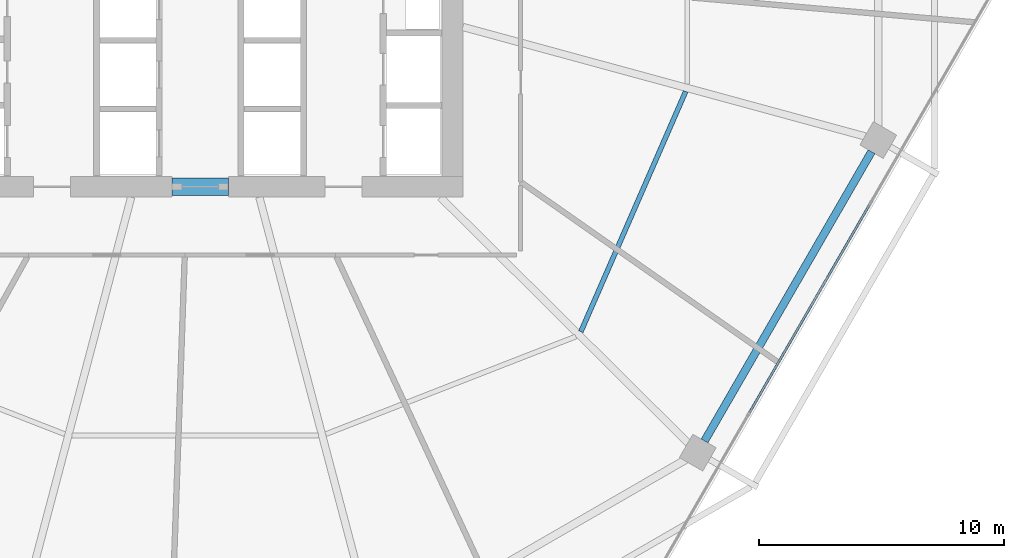
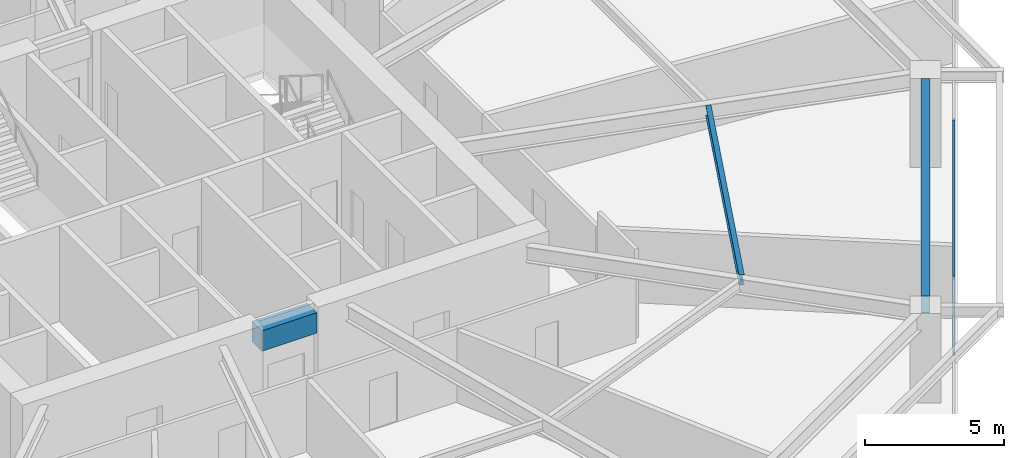
# One storey, part 10 of 28: 3 beams, 2 members, 1 element without a shape of its own.
"""IFC4 building model written with IfcOpenShell, lengths in metres."""

from ifc_helpers import new_model, si_unit, direction, frame, origin, origin_2d, place, context, subcontext, project, spatial, rectangle, hollow_rectangle, i_section, extrude, material, material_profile, profile_set, type_object, element, aggregate, save


model = new_model("IFC4")

# Units and contexts
model_context = context("Model", 3, precision=1e-05, world=origin(), true_north=direction((0.0, 1.0)))
body_context = subcontext(model_context, "Body", "Model", "MODEL_VIEW")
ifc_project = project(units=[si_unit("LENGTHUNIT", "METRE"), si_unit("AREAUNIT", "SQUARE_METRE"), si_unit("VOLUMEUNIT", "CUBIC_METRE"), si_unit("PLANEANGLEUNIT", "RADIAN"), si_unit("MASSUNIT", "GRAM", prefix="KILO")], contexts=[model_context])

# Site, building, storey
site_placement = place(None, origin())
site = spatial("IfcSite", under=ifc_project, at=site_placement, CompositionType="ELEMENT")
building_placement = place(site_placement, origin())
building = spatial("IfcBuilding", under=site, at=building_placement, Name="Zuhravey Tower", CompositionType="ELEMENT")
storey_placement = place(building_placement, frame((0.0, 0.0, 79.199951171875)))
storey = spatial("IfcBuildingStorey", under=building, at=storey_placement, Name="L19", CompositionType="ELEMENT", Elevation=79.199951171875)

# Beam
ifc_material_1 = material(Name="Concrete C60/75", Category="concrete")
ifc_material_profile_1 = material_profile(ifc_material_1, rectangle(XDim=0.699951171875, YDim=0.89990234375, at=origin_2d()), Name="RC-700x900")
ifc_profile_set_1 = profile_set([ifc_material_profile_1], Name="Concrete C60/75")
beam_type_1 = type_object("IfcBeamType", Name="Core Coupling Beam RC700x900", PredefinedType="LINTEL", material=ifc_profile_set_1)
beam_1_placement = place(storey_placement, frame((35.052001953125, 22.5, 3.469970703125), z_axis=(1.0, 0.0, 0.0), x_axis=(0.0, 1.0, 0.0)))
element("IfcBeam", 1, at=beam_1_placement, inside=storey, type_object=beam_type_1, Name="L19 CB1 BM-L19-CB-S", PredefinedType="LINTEL", context=body_context, shape_type="SweptSolid", body=[
    extrude(rectangle(XDim=0.699951171875, YDim=0.89990234375, at=origin_2d()), origin(), (0.0, 0.0, 1.0), 2.2958984375),
])

# Curtain wall, members
ifc_material_2 = material(Name="Thermally broken anodised aluminium", Category="aluminium")
curtain_wall_type = type_object("IfcCurtainWallType", Name="School Low-E Unitised Curtain Wall CW1", PredefinedType="NOTDEFINED", material=ifc_material_2)
curtain_wall_placement = place(storey_placement, origin())
curtain_wall = element("IfcCurtainWall", 2, at=curtain_wall_placement, inside=storey, type_object=curtain_wall_type, Name="L19 CW1 CW-L19-F6-1", PredefinedType="NOTDEFINED")
ifc_material_3 = material(Name="Anodised aluminium", Category="aluminium")
ifc_material_profile_2 = material_profile(ifc_material_3, hollow_rectangle(XDim=0.090087890625, YDim=0.14990234375, WallThickness=0.0048828125, at=origin_2d()), Name="ALU-RHS-90x150x5")
ifc_profile_set_2 = profile_set([ifc_material_profile_2], Name="Anodised aluminium")
member_type = type_object("IfcMemberType", Name="Curtain-Wall Transom 90x150", PredefinedType="USERDEFINED", material=ifc_profile_set_2)
member_1_placement = place(storey_placement, frame((63.52294921875, 21.754150390625, 0.045166015625), z_axis=(-0.499990498062, -0.866030889661, 0.0), x_axis=(0.866030889661, -0.499990498062, 0.0)))
member_1 = element("IfcMember", 3, at=member_1_placement, type_object=member_type, Name="CW1 transom 2.1", ObjectType="TRANSOM", PredefinedType="USERDEFINED", context=body_context, shape_type="SweptSolid", body=[
    extrude(hollow_rectangle(XDim=0.090087890625, YDim=0.14990234375, WallThickness=0.0048828125, at=origin_2d()), origin(), (0.0, 0.0, 1.0), 9.776611328125),
])
member_2_placement = place(storey_placement, frame((63.52294921875, 21.754150390625, 3.375), z_axis=(-0.499990498062, -0.866030889661, 0.0), x_axis=(0.866030889661, -0.499990498062, 0.0)))
member_2 = element("IfcMember", 4, at=member_2_placement, type_object=member_type, Name="CW1 transom 2.2", ObjectType="TRANSOM", PredefinedType="USERDEFINED", context=body_context, shape_type="SweptSolid", body=[
    extrude(hollow_rectangle(XDim=0.090087890625, YDim=0.14990234375, WallThickness=0.0048828125, at=origin_2d()), origin(), (0.0, 0.0, 1.0), 9.776611328125),
])
aggregate(curtain_wall, [member_1, member_2])

# Beams
ifc_material_4 = material(Name="Steel SM355", Category="steel")
ifc_material_profile_3 = material_profile(ifc_material_4, i_section(OverallWidth=0.320068359375, OverallDepth=0.75, WebThickness=0.013916015625, FlangeThickness=0.02490234375, at=origin_2d()), Name="H-750x320x14x25")
ifc_profile_set_3 = profile_set([ifc_material_profile_3], Name="Steel SM355")
beam_type_2 = type_object("IfcBeamType", Name="Perimeter Ring Beam H750x320", PredefinedType="BEAM", material=ifc_profile_set_3)
beam_2_placement = place(storey_placement, frame((56.79541015625, 12.1220703125, 3.545166015625), z_axis=(0.500008177929, 0.866020682204, 0.0), x_axis=(-0.866020682204, 0.500008177929, 0.0)))
element("IfcBeam", 5, at=beam_2_placement, inside=storey, type_object=beam_type_2, Name="L19 PB1 BM-L19-PB-11", PredefinedType="BEAM", context=body_context, shape_type="SweptSolid", body=[
    extrude(i_section(OverallWidth=0.320068359375, OverallDepth=0.75, WebThickness=0.013916015625, FlangeThickness=0.02490234375, at=origin_2d()), origin(), (0.0, 0.0, 1.0), 13.634033203125),
])
ifc_material_profile_4 = material_profile(ifc_material_4, i_section(OverallWidth=0.199951171875, OverallDepth=0.449951171875, WebThickness=0.009033203125, FlangeThickness=0.013916015625, at=origin_2d()), Name="H-450x200x9x14")
ifc_profile_set_4 = profile_set([ifc_material_profile_4], Name="Steel SM355")
beam_type_3 = type_object("IfcBeamType", Name="Secondary Floor Joist H450x200", PredefinedType="JOIST", material=ifc_profile_set_4)
beam_3_placement = place(storey_placement, frame((51.7451171875, 16.58154296875, 3.695068359375), z_axis=(0.399923551578, 0.916548500022, 0.0), x_axis=(-0.916548500022, 0.399923551578, 0.0)))
element("IfcBeam", 6, at=beam_3_placement, inside=storey, type_object=beam_type_3, Name="L19 SJ1 BM-L19-SJ-11-1", PredefinedType="JOIST", context=body_context, shape_type="SweptSolid", body=[
    extrude(i_section(OverallWidth=0.199951171875, OverallDepth=0.449951171875, WebThickness=0.009033203125, FlangeThickness=0.013916015625, at=origin_2d()), origin(), (0.0, 0.0, 1.0), 10.70263671875),
])

save(model, "model.ifc")
